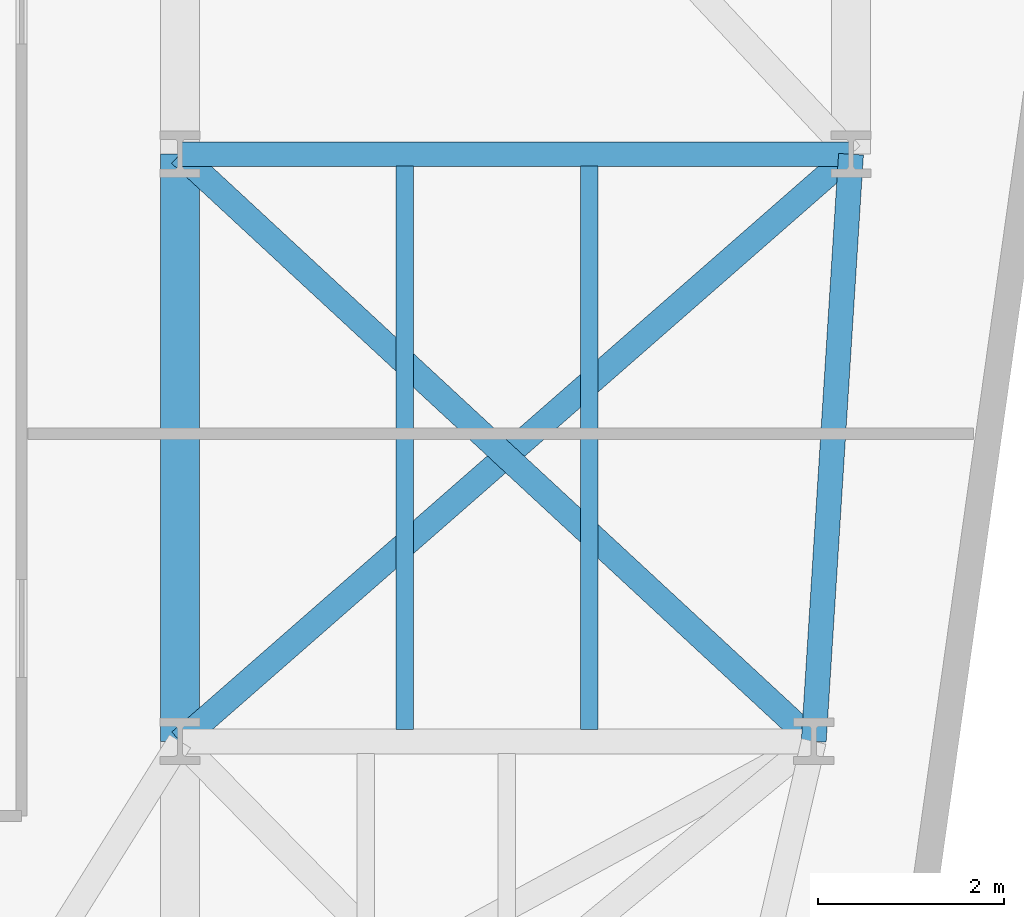
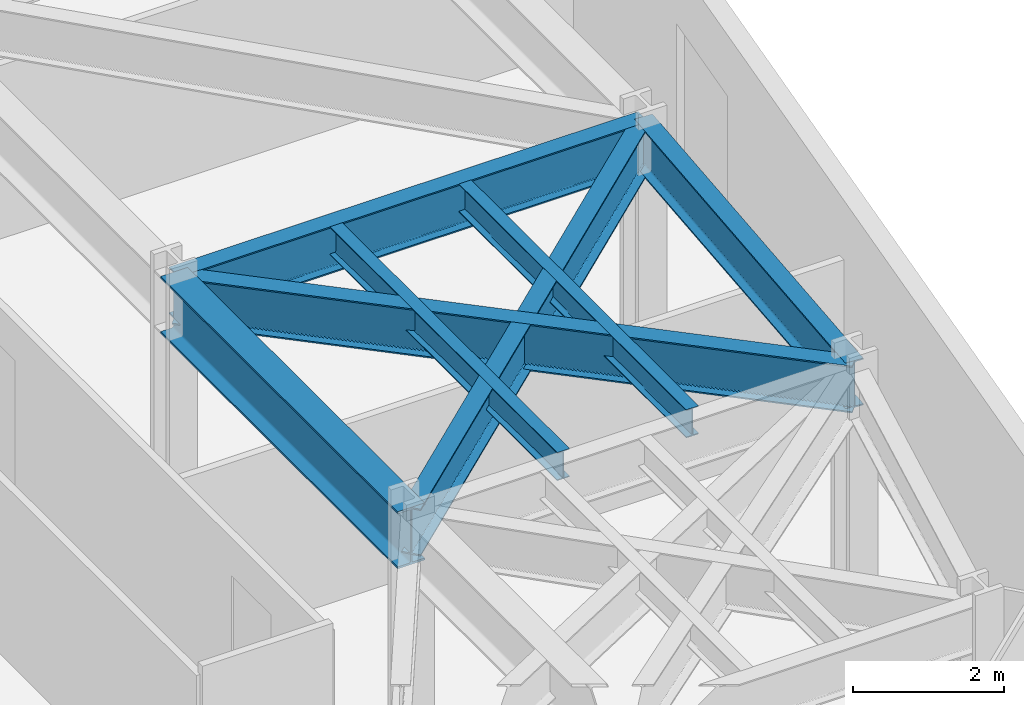
# One storey, part 14 of 25: 7 beams.
"""IFC4 building model written with IfcOpenShell, lengths in metres."""

import ifcopenshell
import ifcopenshell.guid

model = None  # the IFC model being written
_history = None  # IfcOwnerHistory: only IFC2X3 demands one
_inside = {}  # id of a spatial element -> (the spatial element, [elements in it])
_under = {}  # id of a project, library or spatial element -> (it, [spatial elements below it])
_declared = {}  # id of a project -> (the project, [libraries it declares])
_typed = {}  # id of a type object -> (the type object, [elements of that type])
_made_of = {}  # id of a material, layer set ... -> (it, [elements and type objects made of it])


def new_model(schema):
    """Start an empty IFC model of exactly this schema.

    Asked for "IFC4X3", IfcOpenShell would pick the latest addendum, in which some entities
    have other attributes; the version numbers below select the first issue.
    IFC2X3 requires an IfcOwnerHistory on every rooted entity: one is made here for all.
    """
    global model, _history
    if schema == "IFC4X3":
        model = ifcopenshell.file(schema_version=(4, 3, 0, 0))
    else:
        model = ifcopenshell.file(schema=schema)
    _inside.clear()
    _under.clear()
    _declared.clear()
    _typed.clear()
    _made_of.clear()
    _history = None
    if model.schema == "IFC2X3":
        org = make("IfcOrganization", Name="unknown")
        user = make(
            "IfcPersonAndOrganization",
            ThePerson=make("IfcPerson", FamilyName="unknown"),
            TheOrganization=org,
        )
        app = make(
            "IfcApplication",
            ApplicationDeveloper=org,
            Version="unknown",
            ApplicationFullName="unknown",
            ApplicationIdentifier="unknown",
        )
        _history = make(
            "IfcOwnerHistory",
            OwningUser=user,
            OwningApplication=app,
            ChangeAction="ADDED",
            CreationDate=0,
        )
    return model


def make(cls, **values):
    """One entity of the class cls with the attributes given. An attribute that is None is left unset."""
    return model.create_entity(
        cls, **{name: value for name, value in values.items() if value is not None}
    )


def rooted(cls, **values):
    """An entity with a GlobalId (a new one), such as an element, a storey or a relation."""
    return make(cls, GlobalId=ifcopenshell.guid.new(), OwnerHistory=_history, **values)


def si_unit(unit_type, name, prefix=None):
    """IfcSIUnit, for example si_unit("LENGTHUNIT", "METRE", prefix="MILLI")."""
    return make("IfcSIUnit", UnitType=unit_type, Prefix=prefix, Name=name)


def assignment(units):
    """IfcUnitAssignment: the units of a project."""
    return None if units is None else make("IfcUnitAssignment", Units=units)


def point(xyz):
    """IfcCartesianPoint."""
    return None if xyz is None else make("IfcCartesianPoint", Coordinates=xyz)


def direction(xyz):
    """IfcDirection."""
    return None if xyz is None else make("IfcDirection", DirectionRatios=xyz)


def frame(location, z_axis=None, x_axis=None):
    """IfcAxis2Placement3D, a coordinate frame: its origin and axes. An axis left out is left unset."""
    return make(
        "IfcAxis2Placement3D",
        Location=point(location),
        Axis=direction(z_axis),
        RefDirection=direction(x_axis),
    )


def frame_2d(location, x_axis=None):
    """IfcAxis2Placement2D, a coordinate frame in the plane: its origin and x axis."""
    return make(
        "IfcAxis2Placement2D", Location=point(location), RefDirection=direction(x_axis)
    )


def origin():
    """The frame at (0, 0, 0) with its axes left unset."""
    return frame((0.0, 0.0, 0.0))


def origin_2d():
    """The frame at (0, 0) in the plane with its x axis left unset."""
    return frame_2d((0.0, 0.0))


def place(relative_to, where):
    """IfcLocalPlacement: puts the frame where relative to a parent placement (None: the world)."""
    return make(
        "IfcLocalPlacement", PlacementRelTo=relative_to, RelativePlacement=where
    )


def context(
    kind, dimensions, precision=None, world=None, true_north=None, identifier=None
):
    """IfcGeometricRepresentationContext, for example the 3D "Model" context."""
    return make(
        "IfcGeometricRepresentationContext",
        ContextIdentifier=identifier,
        ContextType=kind,
        CoordinateSpaceDimension=dimensions,
        Precision=precision,
        WorldCoordinateSystem=world,
        TrueNorth=true_north,
    )


def subcontext(parent, identifier, kind, view, scale=None):
    """IfcGeometricRepresentationSubContext, for example "Body" below "Model"."""
    return make(
        "IfcGeometricRepresentationSubContext",
        ContextIdentifier=identifier,
        ContextType=kind,
        ParentContext=parent,
        TargetScale=scale,
        TargetView=view,
    )


def project(units=None, contexts=None):
    """IfcProject with its units and contexts."""
    return rooted(
        "IfcProject",
        Name="project",
        RepresentationContexts=contexts,
        UnitsInContext=assignment(units),
    )


def spatial(cls, under=None, at=None, **own):
    """A site, building, storey or space (cls), placed at a placement, below another one or the project."""
    s = rooted(cls, ObjectPlacement=at, **own)
    if under is not None:
        _under.setdefault(under.id(), (under, []))[1].append(s)
    return s


def profile(cls, at=None, kind="AREA", **sizes):
    """A parametric profile (cls). Its sizes go by their IFC names, for example OverallWidth=200.0."""
    return make(cls, ProfileType=kind, Position=at, **sizes)


def i_section(**sizes):
    """IfcIShapeProfileDef."""
    return profile("IfcIShapeProfileDef", **sizes)


def extrude(swept, where, along, depth):
    """IfcExtrudedAreaSolid: the profile swept, set in the frame where, extruded along a direction by depth."""
    return make(
        "IfcExtrudedAreaSolid",
        SweptArea=swept,
        Position=where,
        ExtrudedDirection=direction(along),
        Depth=depth,
    )


def shape(context_of_items, identifier, shape_type, items):
    """IfcShapeRepresentation: the items that make up one representation, for example the "Body"."""
    return make(
        "IfcShapeRepresentation",
        ContextOfItems=context_of_items,
        RepresentationIdentifier=identifier,
        RepresentationType=shape_type,
        Items=items,
    )


def material(Name=None, Category=None):
    """IfcMaterial."""
    return make("IfcMaterial", Name=Name, Category=Category)


def material_profile(
    of_material, cross_section, Name=None, Category=None, Priority=None
):
    """IfcMaterialProfile: a cross section and its material."""
    return make(
        "IfcMaterialProfile",
        Name=Name,
        Material=of_material,
        Profile=cross_section,
        Priority=Priority,
        Category=Category,
    )


def profile_set(profiles, Name=None, composite=None):
    """IfcMaterialProfileSet."""
    return make(
        "IfcMaterialProfileSet",
        Name=Name,
        MaterialProfiles=profiles,
        CompositeProfile=composite,
    )


def made_of(thing, what):
    """Note that an element or type object is made of a material, layer set ...; save() writes the relation."""
    if what is not None:
        _made_of.setdefault(what.id(), (what, []))[1].append(thing)
    return thing


def type_object(cls, material=None, **own):
    """A type object (cls), such as IfcWallType, which elements share."""
    return made_of(rooted(cls, **own), material)


def element(
    cls,
    number,
    at=None,
    inside=None,
    cuts=None,
    type_object=None,
    material=None,
    context=None,
    identifier="Body",
    shape_type=None,
    held_by="IfcProductDefinitionShape",
    body=None,
    shapes=None,
    **own,
):
    """One element of the class cls, such as IfcWall. Its Tag is "e" and its number.

    at: its placement. inside: the storey or other place that contains it. cuts: it is an
    opening in that element (IfcRelVoidsElement). A single representation is given by context,
    identifier, shape_type and body (its items); several are given by shapes. held_by: the class
    of the entity that holds the representations. save() writes the other relations.
    """
    e = rooted(cls, Tag="e%d" % number, ObjectPlacement=at, **own)
    if body is not None:
        shapes = [shape(context, identifier, shape_type, body)]
    if shapes is not None:
        e.Representation = make(held_by, Representations=shapes)
    if inside is not None:
        _inside.setdefault(inside.id(), (inside, []))[1].append(e)
    if cuts is not None:
        rooted(
            "IfcRelVoidsElement", RelatingBuildingElement=cuts, RelatedOpeningElement=e
        )
    if type_object is not None:
        _typed.setdefault(type_object.id(), (type_object, []))[1].append(e)
    return made_of(e, material)


def aggregate(whole, parts):
    """IfcRelAggregates: a whole, such as a stair, and the parts it consists of."""
    return rooted("IfcRelAggregates", RelatingObject=whole, RelatedObjects=parts)


def save(model, path):
    """Write the relations noted so far, then the file.

    IfcRelAggregates (storeys below a building ...), IfcRelContainedInSpatialStructure (elements
    in a storey), IfcRelDefinesByType, IfcRelAssociatesMaterial and IfcRelDeclares: one each for
    every whole, place, type object, material and project.
    """
    for whole, parts in _under.values():
        aggregate(whole, parts)
    for where, things in _inside.values():
        rooted(
            "IfcRelContainedInSpatialStructure",
            RelatedElements=things,
            RelatingStructure=where,
        )
    for kind, things in _typed.values():
        rooted("IfcRelDefinesByType", RelatedObjects=things, RelatingType=kind)
    for what, things in _made_of.values():
        rooted("IfcRelAssociatesMaterial", RelatedObjects=things, RelatingMaterial=what)
    for by, libraries in _declared.values():
        rooted("IfcRelDeclares", RelatingContext=by, RelatedDefinitions=libraries)
    model.write(path)


model = new_model("IFC4")

# Units and contexts
model_context = context("Model", 3, precision=1e-05, world=origin(), true_north=direction((0.0, 1.0)))
body_context = subcontext(model_context, "Body", "Model", "MODEL_VIEW")
ifc_project = project(units=[si_unit("LENGTHUNIT", "METRE"), si_unit("AREAUNIT", "SQUARE_METRE"), si_unit("VOLUMEUNIT", "CUBIC_METRE"), si_unit("PLANEANGLEUNIT", "RADIAN"), si_unit("MASSUNIT", "GRAM", prefix="KILO")], contexts=[model_context])

# Site, building, storey
site_placement = place(None, origin())
site = spatial("IfcSite", under=ifc_project, at=site_placement, CompositionType="ELEMENT")
building_placement = place(site_placement, origin())
building = spatial("IfcBuilding", under=site, at=building_placement, Name="Kravanh Interchange Tower", CompositionType="ELEMENT")
storey_placement = place(building_placement, frame((0.0, 0.0, 73.5)))
storey = spatial("IfcBuildingStorey", under=building, at=storey_placement, Name="L17", CompositionType="ELEMENT", Elevation=73.5)

# Beams
ifc_material_1 = material(Name="Structural Steel S355", Category="steel")
ifc_material_profile_1 = material_profile(ifc_material_1, i_section(OverallWidth=0.41796875, OverallDepth=0.927001953125, WebThickness=0.019287109375, FlangeThickness=0.031982421875, FilletRadius=0.028076171875, at=origin_2d()), Name="W36X231")
ifc_profile_set_1 = profile_set([ifc_material_profile_1], Name="Structural Steel S355")
beam_type_1 = type_object("IfcBeamType", Name="Floor Beam W36X231 Structural Steel S355", PredefinedType="BEAM", material=ifc_profile_set_1)
beam_1_placement = place(storey_placement, frame((56.0, 14.5, 3.276611328125), z_axis=(0.0, -1.0, 0.0), x_axis=(1.0, 0.0, 0.0)))
element("IfcBeam", 1, at=beam_1_placement, inside=storey, type_object=beam_type_1, Name="L17 Primary Floor Girder 42", PredefinedType="BEAM", context=body_context, shape_type="SweptSolid", body=[
    extrude(i_section(OverallWidth=0.41796875, OverallDepth=0.927001953125, WebThickness=0.019287109375, FlangeThickness=0.031982421875, FilletRadius=0.028076171875, at=origin_2d()), origin(), (0.0, 0.0, 1.0), 6.300048828125),
])
ifc_material_2 = material(Name="Structural Steel S355", Category="steel")
ifc_material_profile_2 = material_profile(ifc_material_2, i_section(OverallWidth=0.18994140625, OverallDepth=0.45703125, WebThickness=0.009033203125, FlangeThickness=0.014404296875, FilletRadius=0.01806640625, at=origin_2d()), Name="W18X50")
ifc_profile_set_2 = profile_set([ifc_material_profile_2], Name="Structural Steel S355")
beam_type_2 = type_object("IfcBeamType", Name="Floor Joist W18X50 Structural Steel S355", PredefinedType="JOIST", material=ifc_profile_set_2)
for number, where, z_axis, x_axis, name in (
    (2, (58.409912109375, 8.32861328125, 3.511474609375), (0.0, 1.0, 0.0), (-1.0, 0.0, 0.0), "L17 Secondary Floor Joist 11"),
    (3, (60.389892578125, 8.32861328125, 3.511474609375), (0.0, 1.0, 0.0), (-1.0, 0.0, 0.0), "L17 Secondary Floor Joist 12"),
):
    element("IfcBeam", number, at=place(storey_placement, frame(where, z_axis=z_axis, x_axis=x_axis)), inside=storey, type_object=beam_type_2, Name=name, PredefinedType="JOIST", context=body_context, shape_type="SweptSolid", body=[
        extrude(i_section(OverallWidth=0.18994140625, OverallDepth=0.45703125, WebThickness=0.009033203125, FlangeThickness=0.014404296875, FilletRadius=0.01806640625, at=origin_2d()), origin(), (0.0, 0.0, 1.0), 6.04296875),
    ])
ifc_material_3 = material(Name="Structural Steel S355", Category="steel")
ifc_material_profile_3 = material_profile(ifc_material_3, i_section(OverallWidth=0.26708984375, OverallDepth=0.761962890625, WebThickness=0.014404296875, FlangeThickness=0.021484375, FilletRadius=0.02490234375, at=origin_2d()), Name="W30X116")
ifc_profile_set_3 = profile_set([ifc_material_profile_3], Name="Structural Steel S355")
beam_type_3 = type_object("IfcBeamType", Name="Floor Spandrel W30X116 Structural Steel S355", PredefinedType="SPANDREL", material=ifc_profile_set_3)
beam_2_placement = place(storey_placement, frame((56.0, 14.5, 3.35888671875), z_axis=(1.0, 0.0, 0.0), x_axis=(0.0, 1.0, 0.0)))
element("IfcBeam", 4, at=beam_2_placement, inside=storey, type_object=beam_type_3, Name="L17 Perimeter Spandrel 43", PredefinedType="SPANDREL", context=body_context, shape_type="SweptSolid", body=[
    extrude(i_section(OverallWidth=0.26708984375, OverallDepth=0.761962890625, WebThickness=0.014404296875, FlangeThickness=0.021484375, FilletRadius=0.02490234375, at=origin_2d()), origin(), (0.0, 0.0, 1.0), 7.199951171875),
])
beam_3_placement = place(storey_placement, frame((56.0, 14.5, 3.35888671875), z_axis=(0.733561267923, -0.679623326706, 0.0), x_axis=(0.679623326706, 0.733561267923, 0.0)))
element("IfcBeam", 5, at=beam_3_placement, inside=storey, type_object=beam_type_3, Name="L17 Perimeter Spandrel 45", PredefinedType="SPANDREL", context=body_context, shape_type="SweptSolid", body=[
    extrude(i_section(OverallWidth=0.26708984375, OverallDepth=0.761962890625, WebThickness=0.014404296875, FlangeThickness=0.021484375, FilletRadius=0.02490234375, at=origin_2d()), origin(), (0.0, 0.0, 1.0), 9.27001953125),
])
beam_4_placement = place(storey_placement, frame((63.199951171875, 14.5, 3.35888671875), z_axis=(-0.063348576418, -0.99799146182, 0.0), x_axis=(0.99799146182, -0.063348576418, 0.0)))
element("IfcBeam", 6, at=beam_4_placement, inside=storey, type_object=beam_type_3, Name="L17 Perimeter Spandrel 46", PredefinedType="SPANDREL", context=body_context, shape_type="SweptSolid", body=[
    extrude(i_section(OverallWidth=0.26708984375, OverallDepth=0.761962890625, WebThickness=0.014404296875, FlangeThickness=0.021484375, FilletRadius=0.02490234375, at=origin_2d()), origin(), (0.0, 0.0, 1.0), 6.312744140625),
])
beam_5_placement = place(storey_placement, frame((63.199951171875, 14.5, 3.35888671875), z_axis=(-0.752571952274, -0.658510027752, 0.0), x_axis=(0.658510027752, -0.752571952274, 0.0)))
element("IfcBeam", 7, at=beam_5_placement, inside=storey, type_object=beam_type_3, Name="L17 Perimeter Spandrel 48", PredefinedType="SPANDREL", context=body_context, shape_type="SweptSolid", body=[
    extrude(i_section(OverallWidth=0.26708984375, OverallDepth=0.761962890625, WebThickness=0.014404296875, FlangeThickness=0.021484375, FilletRadius=0.02490234375, at=origin_2d()), origin(), (0.0, 0.0, 1.0), 9.567138671875),
])

save(model, "model.ifc")
